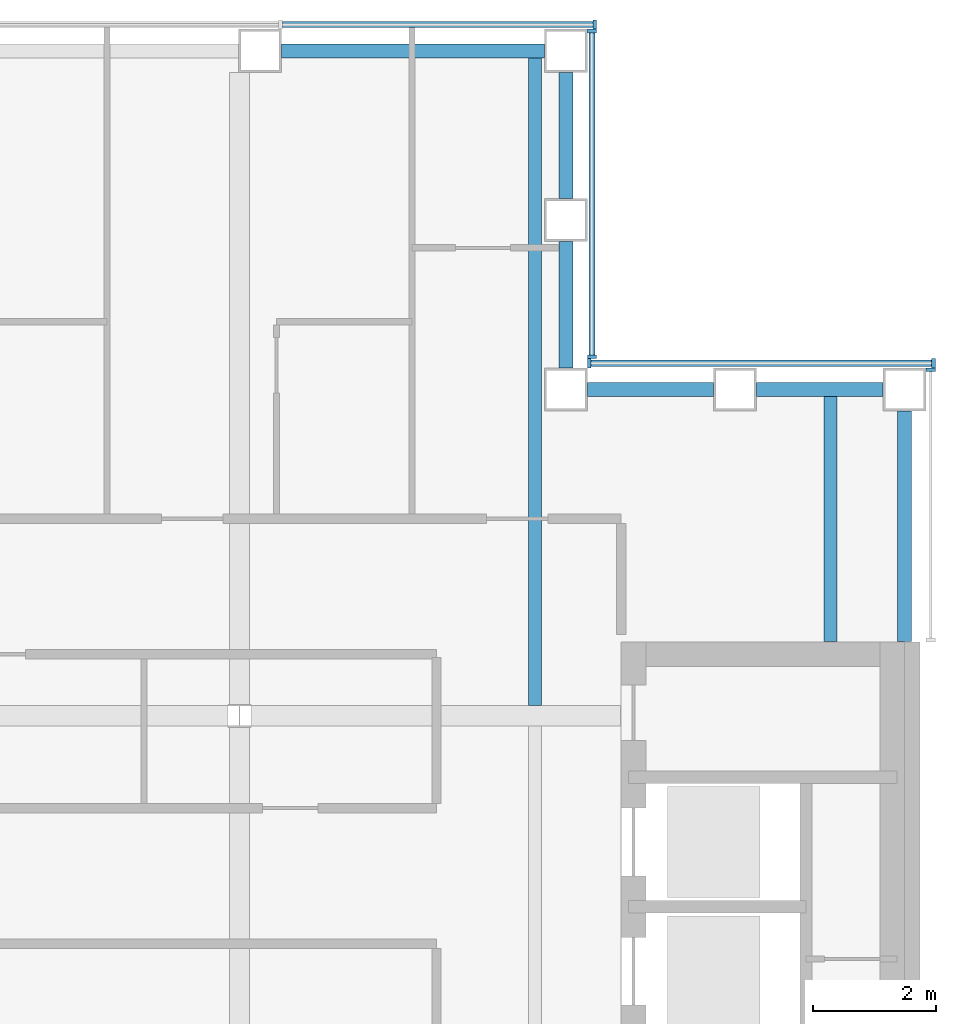
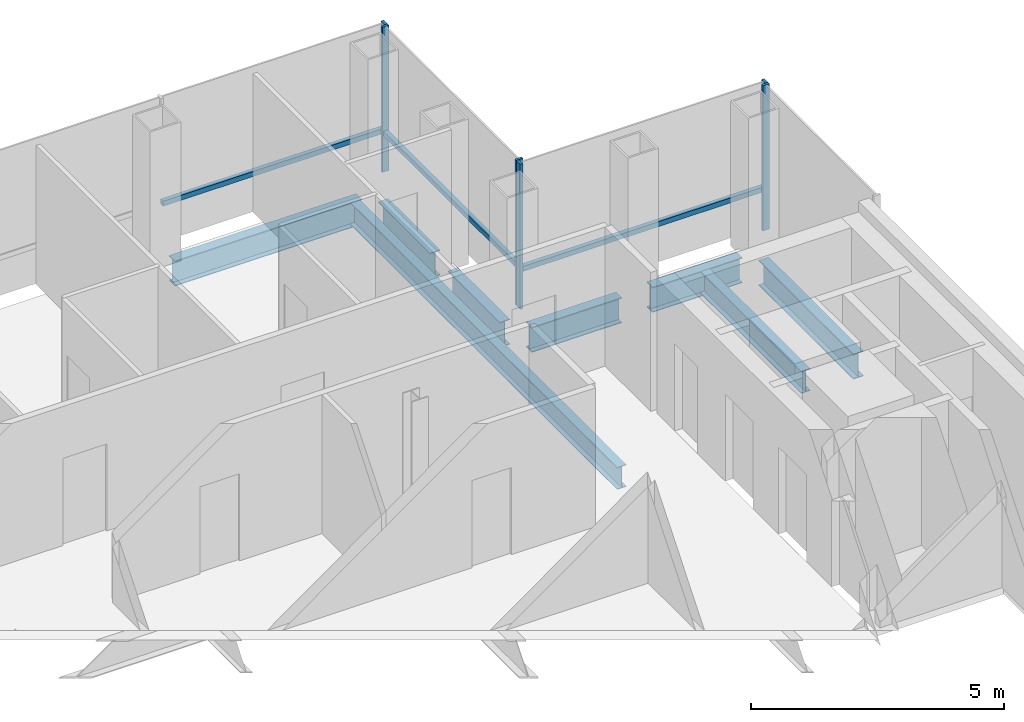
# One storey, part 8 of 15: 9 members, 8 beams, 4 elements without a shape of their own.
"""IFC4 building model written with IfcOpenShell, lengths in metres."""

from ifc_helpers import new_model, si_unit, direction, frame, origin, origin_2d, place, context, subcontext, project, spatial, rectangle, i_section, extrude, material, material_profile, profile_set, type_object, element, aggregate, save


model = new_model("IFC4")

# Units and contexts
model_context = context("Model", 3, precision=1e-05, world=origin(), true_north=direction((0.0, 1.0)))
body_context = subcontext(model_context, "Body", "Model", "MODEL_VIEW")
ifc_project = project(units=[si_unit("LENGTHUNIT", "METRE"), si_unit("AREAUNIT", "SQUARE_METRE"), si_unit("VOLUMEUNIT", "CUBIC_METRE"), si_unit("PLANEANGLEUNIT", "RADIAN"), si_unit("MASSUNIT", "GRAM", prefix="KILO")], contexts=[model_context])

# Site, building, storey
site_placement = place(None, origin())
site = spatial("IfcSite", under=ifc_project, at=site_placement, CompositionType="ELEMENT")
building_placement = place(site_placement, origin())
building = spatial("IfcBuilding", under=site, at=building_placement, Name="Cobrizo Arcos Hotel Tower", CompositionType="ELEMENT")
storey_placement = place(building_placement, frame((0.0, 0.0, 215.5)))
storey = spatial("IfcBuildingStorey", under=building, at=storey_placement, Name="L56", CompositionType="ELEMENT", Elevation=215.5)

# Curtain wall, member
ifc_material_1 = material(Name="Aluminium 6063-T6 anodised bronze", Category="aluminium")
curtain_wall_type = type_object("IfcCurtainWallType", Name="CW-A guest facade", PredefinedType="NOTDEFINED", material=ifc_material_1)
curtain_wall_1_placement = place(storey_placement, origin())
curtain_wall_1 = element("IfcCurtainWall", 1, at=curtain_wall_1_placement, inside=storey, type_object=curtain_wall_type, Name="CW-A L56 E face", PredefinedType="NOTDEFINED")
ifc_material_profile_1 = material_profile(ifc_material_1, rectangle(XDim=0.14990234375, YDim=0.06005859375, at=origin_2d()), Name="CW-A mullion 150x60")
ifc_profile_set_1 = profile_set([ifc_material_profile_1], Name="Aluminium 6063-T6 anodised bronze")
member_type_1 = type_object("IfcMemberType", Name="CW-A mullion 150x60", PredefinedType="MULLION", material=ifc_profile_set_1)
member_1_placement = place(storey_placement, frame((20.824951171875, 15.219970703125, 0.0), z_axis=(0.0, 0.0, 1.0), x_axis=(1.0, 0.0, 0.0)))
member_1 = element("IfcMember", 2, at=member_1_placement, type_object=member_type_1, Name="CW-A mullion 2", PredefinedType="MULLION", context=body_context, shape_type="SweptSolid", body=[
    extrude(rectangle(XDim=0.14990234375, YDim=0.06005859375, at=origin_2d()), origin(), (0.0, 0.0, 1.0), 3.5),
])
aggregate(curtain_wall_1, [member_1])

# Curtain wall, members
curtain_wall_2_placement = place(storey_placement, origin())
curtain_wall_2 = element("IfcCurtainWall", 3, at=curtain_wall_2_placement, inside=storey, type_object=curtain_wall_type, Name="CW-A L56 N face", PredefinedType="NOTDEFINED")
member_2_placement = place(storey_placement, frame((20.8701171875, 15.324951171875, 0.0), z_axis=(0.0, 0.0, 1.0), x_axis=(0.0, 1.0, 0.0)))
member_2 = element("IfcMember", 4, at=member_2_placement, type_object=member_type_1, Name="CW-A mullion 1", PredefinedType="MULLION", context=body_context, shape_type="SweptSolid", body=[
    extrude(rectangle(XDim=0.14990234375, YDim=0.06005859375, at=origin_2d()), origin(), (0.0, 0.0, 1.0), 3.5),
])
member_3_placement = place(storey_placement, frame((15.280029296875, 15.324951171875, 0.0), z_axis=(0.0, 0.0, 1.0), x_axis=(0.0, 1.0, 0.0)))
member_3 = element("IfcMember", 5, at=member_3_placement, type_object=member_type_1, Name="CW-A mullion 2", PredefinedType="MULLION", context=body_context, shape_type="SweptSolid", body=[
    extrude(rectangle(XDim=0.14990234375, YDim=0.06005859375, at=origin_2d()), origin(), (0.0, 0.0, 1.0), 3.5),
])

curtain_wall_3_placement = place(storey_placement, origin())
curtain_wall_3 = element("IfcCurtainWall", 6, at=curtain_wall_3_placement, inside=storey, type_object=curtain_wall_type, Name="CW-A L56 E face", PredefinedType="NOTDEFINED")
member_4_placement = place(storey_placement, frame((15.324951171875, 15.429931640625, 0.0), z_axis=(0.0, 0.0, 1.0), x_axis=(1.0, 0.0, 0.0)))
member_4 = element("IfcMember", 7, at=member_4_placement, type_object=member_type_1, Name="CW-A mullion 1", PredefinedType="MULLION", context=body_context, shape_type="SweptSolid", body=[
    extrude(rectangle(XDim=0.14990234375, YDim=0.06005859375, at=origin_2d()), origin(), (0.0, 0.0, 1.0), 3.5),
])
member_5_placement = place(storey_placement, frame((15.324951171875, 20.719970703125, 0.0), z_axis=(0.0, 0.0, 1.0), x_axis=(1.0, 0.0, 0.0)))
member_5 = element("IfcMember", 8, at=member_5_placement, type_object=member_type_1, Name="CW-A mullion 2", PredefinedType="MULLION", context=body_context, shape_type="SweptSolid", body=[
    extrude(rectangle(XDim=0.14990234375, YDim=0.06005859375, at=origin_2d()), origin(), (0.0, 0.0, 1.0), 3.5),
])

# Curtain wall, member
curtain_wall_4_placement = place(storey_placement, origin())
curtain_wall_4 = element("IfcCurtainWall", 9, at=curtain_wall_4_placement, inside=storey, type_object=curtain_wall_type, Name="CW-A L56 N face", PredefinedType="NOTDEFINED")
member_6_placement = place(storey_placement, frame((15.3701171875, 20.824951171875, 0.0), z_axis=(0.0, 0.0, 1.0), x_axis=(0.0, 1.0, 0.0)))
member_6 = element("IfcMember", 10, at=member_6_placement, type_object=member_type_1, Name="CW-A mullion 1", PredefinedType="MULLION", context=body_context, shape_type="SweptSolid", body=[
    extrude(rectangle(XDim=0.14990234375, YDim=0.06005859375, at=origin_2d()), origin(), (0.0, 0.0, 1.0), 3.5),
])

# Member
ifc_material_profile_2 = material_profile(ifc_material_1, rectangle(XDim=0.10009765625, YDim=0.1201171875, at=origin_2d()), Name="CW-A transom 120x100")
ifc_profile_set_2 = profile_set([ifc_material_profile_2], Name="Aluminium 6063-T6 anodised bronze")
member_type_2 = type_object("IfcMemberType", Name="CW-A transom 120x100", PredefinedType="USERDEFINED", material=ifc_profile_set_2)
member_7_placement = place(storey_placement, frame((20.840087890625, 15.324951171875, 0.929931640625), z_axis=(-1.0, 0.0, 0.0), x_axis=(0.0, -1.0, 0.0)))
member_7 = element("IfcMember", 11, at=member_7_placement, type_object=member_type_2, Name="CW-A transom 1874", ObjectType="TRANSOM", PredefinedType="USERDEFINED", context=body_context, shape_type="SweptSolid", body=[
    extrude(rectangle(XDim=0.10009765625, YDim=0.1201171875, at=origin_2d()), origin(), (0.0, 0.0, 1.0), 5.530029296875),
])

aggregate(curtain_wall_2, [member_2, member_3, member_7])

member_8_placement = place(storey_placement, frame((15.324951171875, 15.4599609375, 0.929931640625), z_axis=(0.0, 1.0, 0.0), x_axis=(-1.0, 0.0, 0.0)))
member_8 = element("IfcMember", 12, at=member_8_placement, type_object=member_type_2, Name="CW-A transom 1875", ObjectType="TRANSOM", PredefinedType="USERDEFINED", context=body_context, shape_type="SweptSolid", body=[
    extrude(rectangle(XDim=0.10009765625, YDim=0.1201171875, at=origin_2d()), origin(), (0.0, 0.0, 1.0), 5.22998046875),
])

aggregate(curtain_wall_3, [member_4, member_5, member_8])

member_9_placement = place(storey_placement, frame((15.340087890625, 20.824951171875, 0.929931640625), z_axis=(-1.0, 0.0, 0.0), x_axis=(0.0, -1.0, 0.0)))
member_9 = element("IfcMember", 13, at=member_9_placement, type_object=member_type_2, Name="CW-A transom 1876", ObjectType="TRANSOM", PredefinedType="USERDEFINED", context=body_context, shape_type="SweptSolid", body=[
    extrude(rectangle(XDim=0.10009765625, YDim=0.1201171875, at=origin_2d()), origin(), (0.0, 0.0, 1.0), 5.04345703125),
])

aggregate(curtain_wall_4, [member_6, member_9])

# Beams
ifc_material_2 = material(Name="Steel ASTM A992 Grade 50", Category="steel")
ifc_material_profile_3 = material_profile(ifc_material_2, i_section(OverallWidth=0.209228515625, OverallDepth=0.533447265625, WebThickness=0.01025390625, FlangeThickness=0.015625, at=origin_2d()), Name="W21X62")
ifc_profile_set_3 = profile_set([ifc_material_profile_3], Name="Steel ASTM A992 Grade 50")
beam_type_1 = type_object("IfcBeamType", Name="W21X62 joist", PredefinedType="JOIST", material=ifc_profile_set_3)
beam_1_placement = place(storey_placement, frame((14.39990234375, 9.763916015625, -0.416748046875), z_axis=(0.0, 1.0, 0.0), x_axis=(-1.0, 0.0, 0.0)))
element("IfcBeam", 14, at=beam_1_placement, inside=storey, type_object=beam_type_1, Name="Floor joist J1, L56, no. 018", PredefinedType="JOIST", context=body_context, shape_type="SweptSolid", body=[
    extrude(i_section(OverallWidth=0.209228515625, OverallDepth=0.533447265625, WebThickness=0.01025390625, FlangeThickness=0.015625, at=origin_2d()), origin(), (0.0, 0.0, 1.0), 10.546142578125),
])
beam_2_placement = place(storey_placement, frame((19.199951171875, 10.81005859375, -0.416748046875), z_axis=(0.0, 1.0, 0.0), x_axis=(-1.0, 0.0, 0.0)))
element("IfcBeam", 15, at=beam_2_placement, inside=storey, type_object=beam_type_1, Name="Floor joist J1, L56, no. 020", PredefinedType="JOIST", context=body_context, shape_type="SweptSolid", body=[
    extrude(i_section(OverallWidth=0.209228515625, OverallDepth=0.533447265625, WebThickness=0.01025390625, FlangeThickness=0.015625, at=origin_2d()), origin(), (0.0, 0.0, 1.0), 4.0),
])
ifc_material_profile_4 = material_profile(ifc_material_2, i_section(OverallWidth=0.228271484375, OverallDepth=0.607177734375, WebThickness=0.01123046875, FlangeThickness=0.017333984375, at=origin_2d()), Name="W24X76")
ifc_profile_set_4 = profile_set([ifc_material_profile_4], Name="Steel ASTM A992 Grade 50")
beam_type_2 = type_object("IfcBeamType", Name="W24X76 spandrel", PredefinedType="SPANDREL", material=ifc_profile_set_4)
beam_3_placement = place(storey_placement, frame((20.39990234375, 10.81005859375, -0.45361328125), z_axis=(0.0, 1.0, 0.0), x_axis=(-1.0, 0.0, 0.0)))
element("IfcBeam", 16, at=beam_3_placement, inside=storey, type_object=beam_type_2, Name="Spandrel beam W24X76, L56, no. 012", PredefinedType="SPANDREL", context=body_context, shape_type="SweptSolid", body=[
    extrude(i_section(OverallWidth=0.228271484375, OverallDepth=0.607177734375, WebThickness=0.01123046875, FlangeThickness=0.017333984375, at=origin_2d()), origin(), (0.0, 0.0, 1.0), 3.739990234375),
])
for number, where, z_axis, x_axis, name in (
    (17, (20.050048828125, 14.89990234375, -0.45361328125), (-1.0, 0.0, 0.0), (0.0, -1.0, 0.0), "Spandrel beam W24X76, L56, no. 013"),
    (18, (17.300048828125, 14.89990234375, -0.45361328125), (-1.0, 0.0, 0.0), (0.0, -1.0, 0.0), "Spandrel beam W24X76, L56, no. 014"),
    (19, (14.89990234375, 15.25, -0.45361328125), (0.0, 1.0, 0.0), (-1.0, 0.0, 0.0), "Spandrel beam W24X76, L56, no. 015"),
    (20, (14.89990234375, 18.0, -0.45361328125), (0.0, 1.0, 0.0), (-1.0, 0.0, 0.0), "Spandrel beam W24X76, L56, no. 016"),
):
    element("IfcBeam", number, at=place(storey_placement, frame(where, z_axis=z_axis, x_axis=x_axis)), inside=storey, type_object=beam_type_2, Name=name, PredefinedType="SPANDREL", context=body_context, shape_type="SweptSolid", body=[
        extrude(i_section(OverallWidth=0.228271484375, OverallDepth=0.607177734375, WebThickness=0.01123046875, FlangeThickness=0.017333984375, at=origin_2d()), origin(), (0.0, 0.0, 1.0), 2.050048828125),
    ])
beam_4_placement = place(storey_placement, frame((14.550048828125, 20.39990234375, -0.45361328125), z_axis=(-1.0, 0.0, 0.0), x_axis=(0.0, -1.0, 0.0)))
element("IfcBeam", 21, at=beam_4_placement, inside=storey, type_object=beam_type_2, Name="Spandrel beam W24X76, L56, no. 017", PredefinedType="SPANDREL", context=body_context, shape_type="SweptSolid", body=[
    extrude(i_section(OverallWidth=0.228271484375, OverallDepth=0.607177734375, WebThickness=0.01123046875, FlangeThickness=0.017333984375, at=origin_2d()), origin(), (0.0, 0.0, 1.0), 4.26708984375),
])

save(model, "model.ifc")
